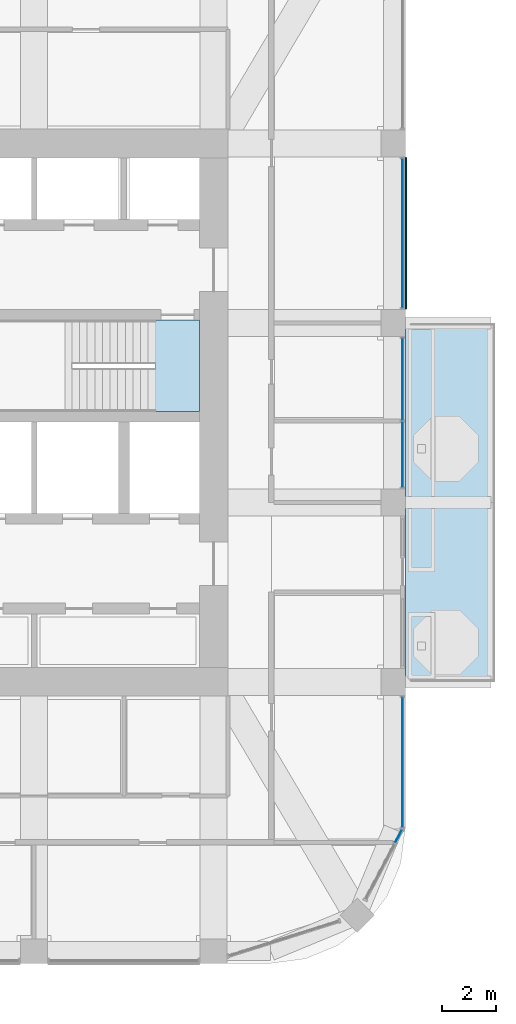
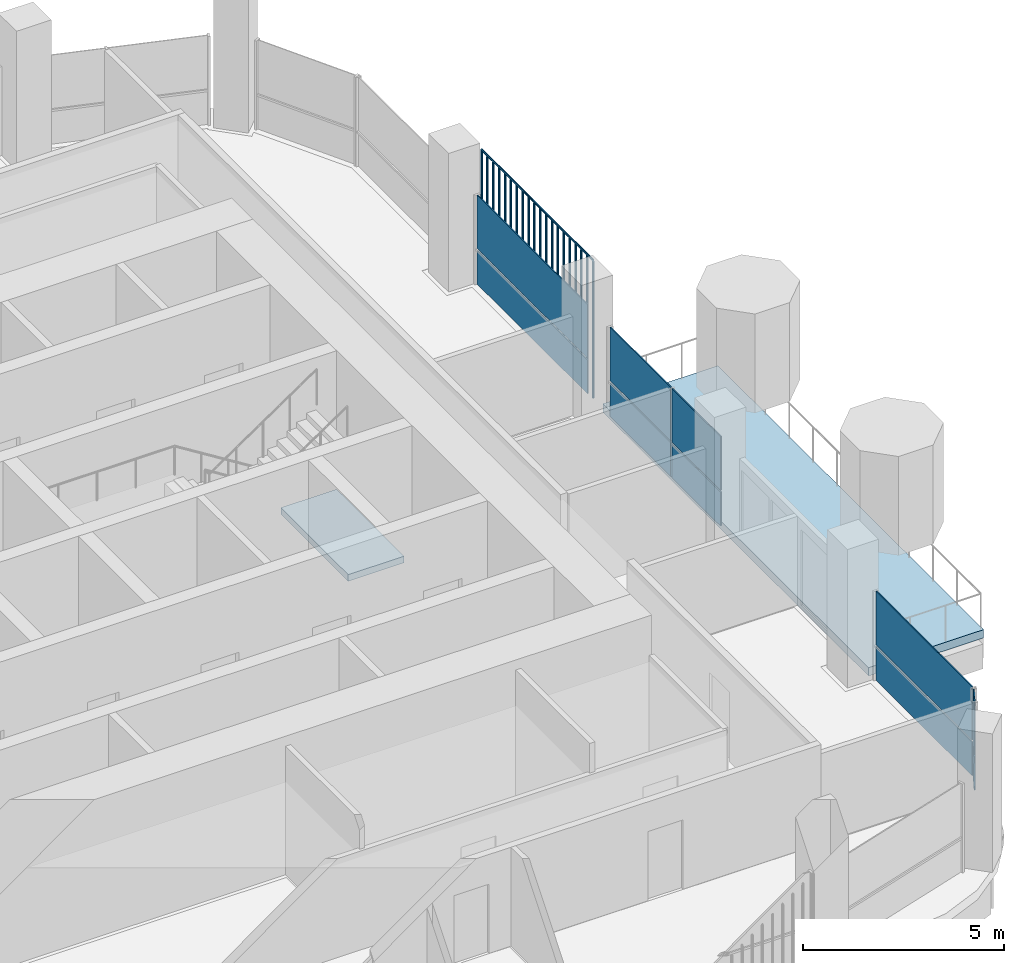
# One storey, part 9 of 18: 11 plates, 2 slabs, 5 elements without a shape of their own.
"""IFC4 building model written with IfcOpenShell, lengths in metres."""

from ifc_helpers import new_model, si_unit, direction, frame, origin, origin_2d, place, context, subcontext, project, spatial, polyline, rectangle, outline, extrude, material, layer, layer_set, type_object, element, aggregate, save


model = new_model("IFC4")

# Units and contexts
model_context = context("Model", 3, precision=1e-05, world=origin(), true_north=direction((0.0, 1.0)))
body_context = subcontext(model_context, "Body", "Model", "MODEL_VIEW")
ifc_project = project(units=[si_unit("LENGTHUNIT", "METRE"), si_unit("AREAUNIT", "SQUARE_METRE"), si_unit("VOLUMEUNIT", "CUBIC_METRE"), si_unit("PLANEANGLEUNIT", "RADIAN"), si_unit("MASSUNIT", "GRAM", prefix="KILO")], contexts=[model_context])

# Site, building, storey
site_placement = place(None, origin())
site = spatial("IfcSite", under=ifc_project, at=site_placement, CompositionType="ELEMENT")
building_placement = place(site_placement, origin())
building = spatial("IfcBuilding", under=site, at=building_placement, Name="Cobogo Forest Laboratory Tower", CompositionType="ELEMENT")
storey_placement = place(building_placement, frame((0.0, 0.0, 271.199951171875)))
storey = spatial("IfcBuildingStorey", under=building, at=storey_placement, Name="L62", CompositionType="ELEMENT", Elevation=271.199951171875)

# Slab
ifc_material_1 = material(Name="Concrete HA-40 (C40/50)", Category="concrete")
ifc_layer_1 = layer(ifc_material_1, 0.25)
ifc_layer_set_1 = layer_set([ifc_layer_1], Name="Balcony slab 250")
slab_type_1 = type_object("IfcSlabType", Name="Balcony slab 250", PredefinedType="FLOOR", material=ifc_layer_set_1)
slab_1_placement = place(storey_placement, frame((0.0, 0.0, -0.25)))
element("IfcSlab", 1, at=slab_1_placement, inside=storey, type_object=slab_type_1, Name="Balcony BAL-E1 L62", PredefinedType="FLOOR", context=body_context, shape_type="SweptSolid", body=[
    extrude(outline(polyline([(46.64990234375, 13.199951171875), (49.949951171875, 13.199951171875), (49.949951171875, 26.39990234375), (46.64990234375, 26.39990234375), (46.64990234375, 13.199951171875)])), origin(), (0.0, 0.0, 1.0), 0.25),
])

# Curtain wall, plates
ifc_material_2 = material(Name="Aluminium curtain wall", Category="aluminium")
curtain_wall_type = type_object("IfcCurtainWallType", Name="CW-2 unitised curtain wall, solar control glazing, laboratory floors zones C and D", PredefinedType="USERDEFINED", material=ifc_material_2)
curtain_wall_1_placement = place(storey_placement, origin())
curtain_wall_1 = element("IfcCurtainWall", 2, at=curtain_wall_1_placement, inside=storey, type_object=curtain_wall_type, Name="Curtain wall 06 L62", ObjectType="UNITISED CURTAIN WALL", PredefinedType="USERDEFINED")
ifc_material_3 = material(Name="Solar control insulated glass", Category="glass")
ifc_layer_2 = layer(ifc_material_3, 0.031982421875)
ifc_layer_set_2 = layer_set([ifc_layer_2], Name="GP-2 solar control glass unit 32")
plate_type_1 = type_object("IfcPlateType", Name="GP-2 solar control glass unit 32", PredefinedType="CURTAIN_PANEL", material=ifc_layer_set_2)
plate_1_placement = place(storey_placement, frame((46.40234375, 7.51806640625, 0.0), z_axis=(0.0, 0.0, 1.0), x_axis=(0.464283778337, 0.885686498245, 0.0)))
plate_1 = element("IfcPlate", 3, at=plate_1_placement, type_object=plate_type_1, Name="CW-2 panel 2.1", PredefinedType="CURTAIN_PANEL", context=body_context, shape_type="SweptSolid", body=[
    extrude(rectangle(XDim=0.516357421875, YDim=0.031982421875, at=origin_2d()), origin(), (0.0, 0.0, 1.0), 1.02001953125),
])
plate_2_placement = place(storey_placement, frame((46.40234375, 7.51806640625, 1.080078125), z_axis=(0.0, 0.0, 1.0), x_axis=(0.464283778337, 0.885686498245, 0.0)))
plate_2 = element("IfcPlate", 4, at=plate_2_placement, type_object=plate_type_1, Name="CW-2 panel 2.2", PredefinedType="CURTAIN_PANEL", context=body_context, shape_type="SweptSolid", body=[
    extrude(rectangle(XDim=0.516357421875, YDim=0.031982421875, at=origin_2d()), origin(), (0.0, 0.0, 1.0), 1.6201171875),
])
aggregate(curtain_wall_1, [plate_1, plate_2])

curtain_wall_2_placement = place(storey_placement, origin())
curtain_wall_2 = element("IfcCurtainWall", 5, at=curtain_wall_2_placement, inside=storey, type_object=curtain_wall_type, Name="Curtain wall 07 L62", ObjectType="UNITISED CURTAIN WALL", PredefinedType="USERDEFINED")
plate_3_placement = place(storey_placement, frame((46.550048828125, 10.25, 0.0), z_axis=(0.0, 0.0, 1.0), x_axis=(0.0, 1.0, 0.0)))
plate_3 = element("IfcPlate", 6, at=plate_3_placement, type_object=plate_type_1, Name="CW-2 panel 1.1", PredefinedType="CURTAIN_PANEL", context=body_context, shape_type="SweptSolid", body=[
    extrude(rectangle(XDim=4.780029296875, YDim=0.031982421875, at=origin_2d()), origin(), (0.0, 0.0, 1.0), 1.02001953125),
])
plate_4_placement = place(storey_placement, frame((46.550048828125, 10.25, 1.080078125), z_axis=(0.0, 0.0, 1.0), x_axis=(0.0, 1.0, 0.0)))
plate_4 = element("IfcPlate", 7, at=plate_4_placement, type_object=plate_type_1, Name="CW-2 panel 1.2", PredefinedType="CURTAIN_PANEL", context=body_context, shape_type="SweptSolid", body=[
    extrude(rectangle(XDim=4.780029296875, YDim=0.031982421875, at=origin_2d()), origin(), (0.0, 0.0, 1.0), 1.6201171875),
])
aggregate(curtain_wall_2, [plate_3, plate_4])

curtain_wall_3_placement = place(storey_placement, origin())
curtain_wall_3 = element("IfcCurtainWall", 8, at=curtain_wall_3_placement, inside=storey, type_object=curtain_wall_type, Name="Curtain wall 09 L62", ObjectType="UNITISED CURTAIN WALL", PredefinedType="USERDEFINED")
plate_5_placement = place(storey_placement, frame((46.550048828125, 21.56494140625, 0.0), z_axis=(0.0, 0.0, 1.0), x_axis=(0.0, 1.0, 0.0)))
plate_5 = element("IfcPlate", 9, at=plate_5_placement, type_object=plate_type_1, Name="CW-2 panel 1.1", PredefinedType="CURTAIN_PANEL", context=body_context, shape_type="SweptSolid", body=[
    extrude(rectangle(XDim=2.409912109375, YDim=0.031982421875, at=origin_2d()), origin(), (0.0, 0.0, 1.0), 1.02001953125),
])
plate_6_placement = place(storey_placement, frame((46.550048828125, 21.56494140625, 1.080078125), z_axis=(0.0, 0.0, 1.0), x_axis=(0.0, 1.0, 0.0)))
plate_6 = element("IfcPlate", 10, at=plate_6_placement, type_object=plate_type_1, Name="CW-2 panel 1.2", PredefinedType="CURTAIN_PANEL", context=body_context, shape_type="SweptSolid", body=[
    extrude(rectangle(XDim=2.409912109375, YDim=0.031982421875, at=origin_2d()), origin(), (0.0, 0.0, 1.0), 1.6201171875),
])
plate_7_placement = place(storey_placement, frame((46.550048828125, 24.3349609375, 0.0), z_axis=(0.0, 0.0, 1.0), x_axis=(0.0, 1.0, 0.0)))
plate_7 = element("IfcPlate", 11, at=plate_7_placement, type_object=plate_type_1, Name="CW-2 panel 2.1", PredefinedType="CURTAIN_PANEL", context=body_context, shape_type="SweptSolid", body=[
    extrude(rectangle(XDim=3.010009765625, YDim=0.031982421875, at=origin_2d()), origin(), (0.0, 0.0, 1.0), 1.02001953125),
])
plate_8_placement = place(storey_placement, frame((46.550048828125, 24.3349609375, 1.080078125), z_axis=(0.0, 0.0, 1.0), x_axis=(0.0, 1.0, 0.0)))
plate_8 = element("IfcPlate", 12, at=plate_8_placement, type_object=plate_type_1, Name="CW-2 panel 2.2", PredefinedType="CURTAIN_PANEL", context=body_context, shape_type="SweptSolid", body=[
    extrude(rectangle(XDim=3.010009765625, YDim=0.031982421875, at=origin_2d()), origin(), (0.0, 0.0, 1.0), 1.6201171875),
])
aggregate(curtain_wall_3, [plate_5, plate_6, plate_7, plate_8])

curtain_wall_4_placement = place(storey_placement, origin())
curtain_wall_4 = element("IfcCurtainWall", 13, at=curtain_wall_4_placement, inside=storey, type_object=curtain_wall_type, Name="Curtain wall 10 L62", ObjectType="UNITISED CURTAIN WALL", PredefinedType="USERDEFINED")
plate_9_placement = place(storey_placement, frame((46.550048828125, 29.699951171875, 0.0), z_axis=(0.0, 0.0, 1.0), x_axis=(0.0, 1.0, 0.0)))
plate_9 = element("IfcPlate", 14, at=plate_9_placement, type_object=plate_type_1, Name="CW-2 panel 1.1", PredefinedType="CURTAIN_PANEL", context=body_context, shape_type="SweptSolid", body=[
    extrude(rectangle(XDim=5.47998046875, YDim=0.031982421875, at=origin_2d()), origin(), (0.0, 0.0, 1.0), 1.02001953125),
])
plate_10_placement = place(storey_placement, frame((46.550048828125, 29.699951171875, 1.080078125), z_axis=(0.0, 0.0, 1.0), x_axis=(0.0, 1.0, 0.0)))
plate_10 = element("IfcPlate", 15, at=plate_10_placement, type_object=plate_type_1, Name="CW-2 panel 1.2", PredefinedType="CURTAIN_PANEL", context=body_context, shape_type="SweptSolid", body=[
    extrude(rectangle(XDim=5.47998046875, YDim=0.031982421875, at=origin_2d()), origin(), (0.0, 0.0, 1.0), 1.6201171875),
])
aggregate(curtain_wall_4, [plate_9, plate_10])

# Stair, slab
ifc_material_4 = material(Name="Precast concrete HA-40 (C40/50)", Category="concrete")
stair_type = type_object("IfcStairType", Name="ST24 exit stair 24 risers", PredefinedType="HALF_TURN_STAIR", material=ifc_material_4)
stair_placement = place(storey_placement, origin())
stair = element("IfcStair", 16, at=stair_placement, inside=storey, type_object=stair_type, Name="Stair 2 L62 to L63", PredefinedType="HALF_TURN_STAIR")
ifc_layer_3 = layer(ifc_material_1, 0.199951171875)
ifc_layer_set_3 = layer_set([ifc_layer_3], Name="SL stair landing 200")
slab_type_2 = type_object("IfcSlabType", Name="SL stair landing 200", PredefinedType="LANDING", material=ifc_layer_set_3)
slab_2_placement = place(storey_placement, frame((0.0, 0.0, -0.199951171875)))
slab_2 = element("IfcSlab", 17, at=slab_2_placement, type_object=slab_type_2, Name="ST2 landing 1", PredefinedType="LANDING", context=body_context, shape_type="SweptSolid", body=[
    extrude(outline(polyline([(37.472900390625, 23.14990234375), (39.074951171875, 23.14990234375), (39.074951171875, 26.5), (37.472900390625, 26.5), (37.472900390625, 23.14990234375)])), origin(), (0.0, 0.0, 1.0), 0.199951171875),
])
aggregate(stair, [slab_2])

# Plate
ifc_material_5 = material(Name="Terracotta", Category="masonry")
plate_type_2 = type_object("IfcPlateType", Name="TB1 terracotta baguette screen", PredefinedType="USERDEFINED", material=ifc_material_5)
plate_11_placement = place(storey_placement, frame((46.677978515625, 26.93115234375, -0.14990234375)))
element("IfcPlate", 18, at=plate_11_placement, inside=storey, type_object=plate_type_2, Name="Baguette screen E3 L62", ObjectType="BAGUETTE SCREEN", PredefinedType="USERDEFINED", context=body_context, shape_type="SweptSolid", body=[
    extrude(outline(polyline([(0.02880859375, 0.011962890625), (0.011962890625, 0.02880859375), (-0.011962890625, 0.02880859375), (-0.02880859375, 0.011962890625), (-0.02880859375, -0.011962890625), (-0.011962890625, -0.02880859375), (0.011962890625, -0.02880859375), (0.02880859375, -0.011962890625), (0.02880859375, 0.011962890625)])), frame((0.0, 0.0, 4.168701171875), z_axis=(0.0, 1.0, 0.0), x_axis=(-1.0, 0.0, 0.0)), (0.0, 0.0, 1.0), 5.53759765625),
    extrude(outline(polyline([(0.02880859375, 0.011962890625), (0.011962890625, 0.02880859375), (-0.011962890625, 0.02880859375), (-0.02880859375, 0.011962890625), (-0.02880859375, -0.011962890625), (-0.011962890625, -0.02880859375), (0.011962890625, -0.02880859375), (0.02880859375, -0.011962890625), (0.02880859375, 0.011962890625)])), origin(), (0.0, 0.0, 1.0), 4.137451171875),
    extrude(outline(polyline([(0.02880859375, 0.011962890625), (0.011962890625, 0.02880859375), (-0.011962890625, 0.02880859375), (-0.02880859375, 0.011962890625), (-0.02880859375, -0.011962890625), (-0.011962890625, -0.02880859375), (0.011962890625, -0.02880859375), (0.02880859375, -0.011962890625), (0.02880859375, 0.011962890625)])), frame((0.0, 0.29150390625, 0.0)), (0.0, 0.0, 1.0), 4.137451171875),
    extrude(outline(polyline([(0.02880859375, 0.011962890625), (0.011962890625, 0.02880859375), (-0.011962890625, 0.02880859375), (-0.02880859375, 0.011962890625), (-0.02880859375, -0.011962890625), (-0.011962890625, -0.02880859375), (0.011962890625, -0.02880859375), (0.02880859375, -0.011962890625), (0.02880859375, 0.011962890625)])), frame((0.0, 0.5830078125, 0.0)), (0.0, 0.0, 1.0), 4.137451171875),
    extrude(outline(polyline([(0.02880859375, 0.011962890625), (0.011962890625, 0.02880859375), (-0.011962890625, 0.02880859375), (-0.02880859375, 0.011962890625), (-0.02880859375, -0.011962890625), (-0.011962890625, -0.02880859375), (0.011962890625, -0.02880859375), (0.02880859375, -0.011962890625), (0.02880859375, 0.011962890625)])), frame((0.0, 0.874267578125, 0.0)), (0.0, 0.0, 1.0), 4.137451171875),
    extrude(outline(polyline([(0.02880859375, 0.011962890625), (0.011962890625, 0.02880859375), (-0.011962890625, 0.02880859375), (-0.02880859375, 0.011962890625), (-0.02880859375, -0.011962890625), (-0.011962890625, -0.02880859375), (0.011962890625, -0.02880859375), (0.02880859375, -0.011962890625), (0.02880859375, 0.011962890625)])), frame((0.0, 1.165771484375, 0.0)), (0.0, 0.0, 1.0), 4.137451171875),
    extrude(outline(polyline([(0.02880859375, 0.011962890625), (0.011962890625, 0.02880859375), (-0.011962890625, 0.02880859375), (-0.02880859375, 0.011962890625), (-0.02880859375, -0.011962890625), (-0.011962890625, -0.02880859375), (0.011962890625, -0.02880859375), (0.02880859375, -0.011962890625), (0.02880859375, 0.011962890625)])), frame((0.0, 1.457275390625, 0.0)), (0.0, 0.0, 1.0), 4.137451171875),
    extrude(outline(polyline([(0.02880859375, 0.011962890625), (0.011962890625, 0.02880859375), (-0.011962890625, 0.02880859375), (-0.02880859375, 0.011962890625), (-0.02880859375, -0.011962890625), (-0.011962890625, -0.02880859375), (0.011962890625, -0.02880859375), (0.02880859375, -0.011962890625), (0.02880859375, 0.011962890625)])), frame((0.0, 1.748779296875, 0.0)), (0.0, 0.0, 1.0), 4.137451171875),
    extrude(outline(polyline([(0.02880859375, 0.011962890625), (0.011962890625, 0.02880859375), (-0.011962890625, 0.02880859375), (-0.02880859375, 0.011962890625), (-0.02880859375, -0.011962890625), (-0.011962890625, -0.02880859375), (0.011962890625, -0.02880859375), (0.02880859375, -0.011962890625), (0.02880859375, 0.011962890625)])), frame((0.0, 2.040283203125, 0.0)), (0.0, 0.0, 1.0), 4.137451171875),
    extrude(outline(polyline([(0.02880859375, 0.011962890625), (0.011962890625, 0.02880859375), (-0.011962890625, 0.02880859375), (-0.02880859375, 0.011962890625), (-0.02880859375, -0.011962890625), (-0.011962890625, -0.02880859375), (0.011962890625, -0.02880859375), (0.02880859375, -0.011962890625), (0.02880859375, 0.011962890625)])), frame((0.0, 2.33154296875, 0.0)), (0.0, 0.0, 1.0), 4.137451171875),
    extrude(outline(polyline([(0.02880859375, 0.011962890625), (0.011962890625, 0.02880859375), (-0.011962890625, 0.02880859375), (-0.02880859375, 0.011962890625), (-0.02880859375, -0.011962890625), (-0.011962890625, -0.02880859375), (0.011962890625, -0.02880859375), (0.02880859375, -0.011962890625), (0.02880859375, 0.011962890625)])), frame((0.0, 2.623046875, 0.0)), (0.0, 0.0, 1.0), 4.137451171875),
    extrude(outline(polyline([(0.02880859375, 0.011962890625), (0.011962890625, 0.02880859375), (-0.011962890625, 0.02880859375), (-0.02880859375, 0.011962890625), (-0.02880859375, -0.011962890625), (-0.011962890625, -0.02880859375), (0.011962890625, -0.02880859375), (0.02880859375, -0.011962890625), (0.02880859375, 0.011962890625)])), frame((0.0, 2.91455078125, 0.0)), (0.0, 0.0, 1.0), 4.137451171875),
    extrude(outline(polyline([(0.02880859375, 0.011962890625), (0.011962890625, 0.02880859375), (-0.011962890625, 0.02880859375), (-0.02880859375, 0.011962890625), (-0.02880859375, -0.011962890625), (-0.011962890625, -0.02880859375), (0.011962890625, -0.02880859375), (0.02880859375, -0.011962890625), (0.02880859375, 0.011962890625)])), frame((0.0, 3.2060546875, 0.0)), (0.0, 0.0, 1.0), 4.137451171875),
    extrude(outline(polyline([(0.02880859375, 0.011962890625), (0.011962890625, 0.02880859375), (-0.011962890625, 0.02880859375), (-0.02880859375, 0.011962890625), (-0.02880859375, -0.011962890625), (-0.011962890625, -0.02880859375), (0.011962890625, -0.02880859375), (0.02880859375, -0.011962890625), (0.02880859375, 0.011962890625)])), frame((0.0, 3.497314453125, 0.0)), (0.0, 0.0, 1.0), 4.137451171875),
    extrude(outline(polyline([(0.02880859375, 0.011962890625), (0.011962890625, 0.02880859375), (-0.011962890625, 0.02880859375), (-0.02880859375, 0.011962890625), (-0.02880859375, -0.011962890625), (-0.011962890625, -0.02880859375), (0.011962890625, -0.02880859375), (0.02880859375, -0.011962890625), (0.02880859375, 0.011962890625)])), frame((0.0, 3.788818359375, 0.0)), (0.0, 0.0, 1.0), 4.137451171875),
    extrude(outline(polyline([(0.02880859375, 0.011962890625), (0.011962890625, 0.02880859375), (-0.011962890625, 0.02880859375), (-0.02880859375, 0.011962890625), (-0.02880859375, -0.011962890625), (-0.011962890625, -0.02880859375), (0.011962890625, -0.02880859375), (0.02880859375, -0.011962890625), (0.02880859375, 0.011962890625)])), frame((0.0, 4.080322265625, 0.0)), (0.0, 0.0, 1.0), 4.137451171875),
    extrude(outline(polyline([(0.02880859375, 0.011962890625), (0.011962890625, 0.02880859375), (-0.011962890625, 0.02880859375), (-0.02880859375, 0.011962890625), (-0.02880859375, -0.011962890625), (-0.011962890625, -0.02880859375), (0.011962890625, -0.02880859375), (0.02880859375, -0.011962890625), (0.02880859375, 0.011962890625)])), frame((0.0, 4.371826171875, 0.0)), (0.0, 0.0, 1.0), 4.137451171875),
    extrude(outline(polyline([(0.02880859375, 0.011962890625), (0.011962890625, 0.02880859375), (-0.011962890625, 0.02880859375), (-0.02880859375, 0.011962890625), (-0.02880859375, -0.011962890625), (-0.011962890625, -0.02880859375), (0.011962890625, -0.02880859375), (0.02880859375, -0.011962890625), (0.02880859375, 0.011962890625)])), frame((0.0, 4.663330078125, 0.0)), (0.0, 0.0, 1.0), 4.137451171875),
    extrude(outline(polyline([(0.02880859375, 0.011962890625), (0.011962890625, 0.02880859375), (-0.011962890625, 0.02880859375), (-0.02880859375, 0.011962890625), (-0.02880859375, -0.011962890625), (-0.011962890625, -0.02880859375), (0.011962890625, -0.02880859375), (0.02880859375, -0.011962890625), (0.02880859375, 0.011962890625)])), frame((0.0, 4.95458984375, 0.0)), (0.0, 0.0, 1.0), 4.137451171875),
    extrude(outline(polyline([(0.02880859375, 0.011962890625), (0.011962890625, 0.02880859375), (-0.011962890625, 0.02880859375), (-0.02880859375, 0.011962890625), (-0.02880859375, -0.011962890625), (-0.011962890625, -0.02880859375), (0.011962890625, -0.02880859375), (0.02880859375, -0.011962890625), (0.02880859375, 0.011962890625)])), frame((0.0, 5.24609375, 0.0)), (0.0, 0.0, 1.0), 4.137451171875),
    extrude(outline(polyline([(0.02880859375, 0.011962890625), (0.011962890625, 0.02880859375), (-0.011962890625, 0.02880859375), (-0.02880859375, 0.011962890625), (-0.02880859375, -0.011962890625), (-0.011962890625, -0.02880859375), (0.011962890625, -0.02880859375), (0.02880859375, -0.011962890625), (0.02880859375, 0.011962890625)])), frame((0.0, 5.53759765625, 0.0)), (0.0, 0.0, 1.0), 4.137451171875),
])

save(model, "model.ifc")
